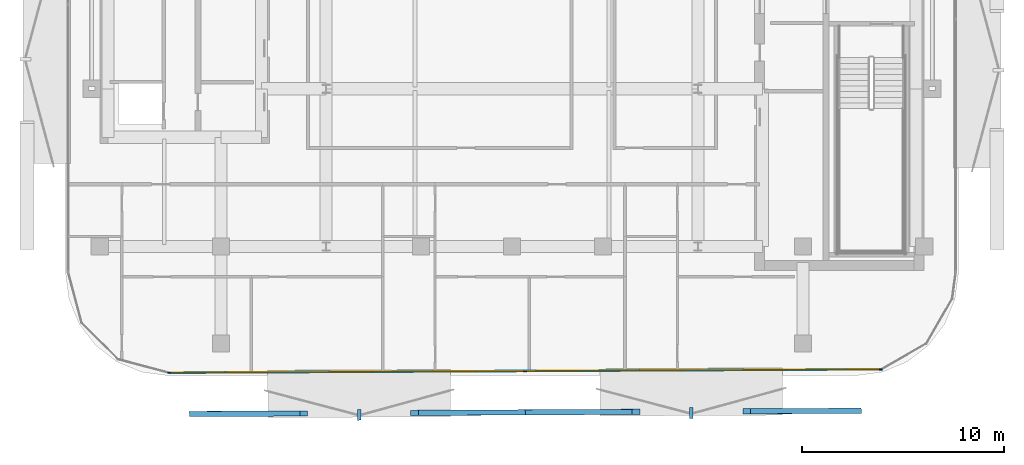
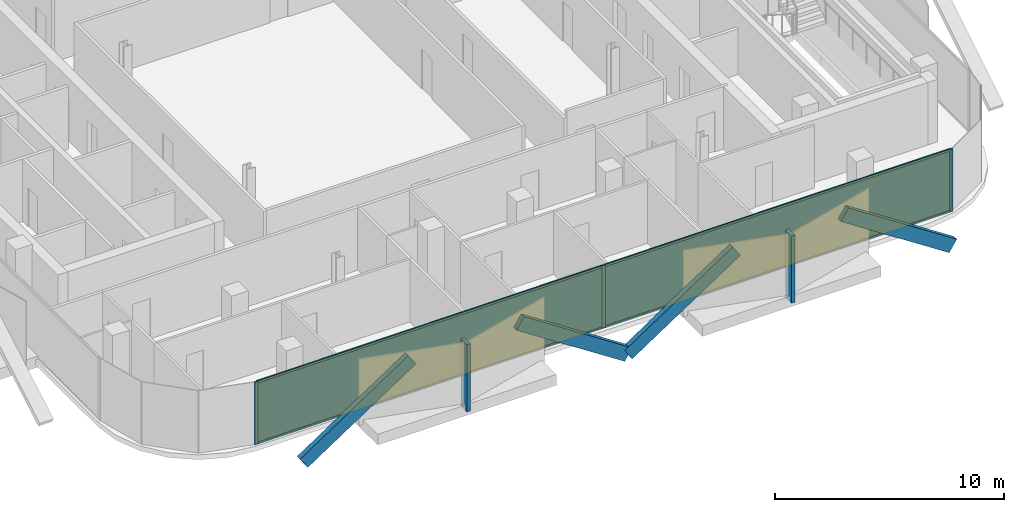
# One storey, part 8 of 15: 13 members, 2 plates, 1 curtain wall.
"""IFC4 building model written with IfcOpenShell, lengths in metres."""

from ifc_helpers import new_model, si_unit, direction, frame, frame_2d, origin, origin_2d, place, context, subcontext, project, spatial, rectangle, extrude, material, layer, layer_set, material_profile, profile_set, type_object, element, aggregate, save


model = new_model("IFC4")

# Units and contexts
model_context = context("Model", 3, precision=1e-05, world=origin(), true_north=direction((0.0, 1.0)))
body_context = subcontext(model_context, "Body", "Model", "MODEL_VIEW")
ifc_project = project(units=[si_unit("LENGTHUNIT", "METRE"), si_unit("AREAUNIT", "SQUARE_METRE"), si_unit("VOLUMEUNIT", "CUBIC_METRE"), si_unit("PLANEANGLEUNIT", "RADIAN"), si_unit("MASSUNIT", "GRAM", prefix="KILO")], contexts=[model_context])

# Member
ifc_material_1 = material(Name="Anodised Bronze Aluminium 6063-T6", Category="aluminium")
ifc_material_profile_1 = material_profile(ifc_material_1, rectangle(XDim=0.260009765625, YDim=0.699951171875, at=origin_2d()))
ifc_profile_set_1 = profile_set([ifc_material_profile_1], Name="Anodised Bronze Aluminium 6063-T6")
member_type_1 = type_object("IfcMemberType", Name="Bronze Diamond Solar-Screen Lattice Rib BDL-700", PredefinedType="MULLION", material=ifc_profile_set_1)
site_placement = place(None, origin())
building_placement = place(site_placement, origin())
storey_placement = place(building_placement, frame((0.0, 0.0, 254.800048828125)))
member_1_placement = place(storey_placement, frame((17.093505859375, -26.735595703125, -0.130126953125), z_axis=(-0.835737294876, -0.004021727391, 0.549114741801), x_axis=(-0.007495516814, 0.999963567548, -0.004084213926)))
member_1 = element("IfcMember", 1, at=member_1_placement, type_object=member_type_1, Name="L60 Bronze Diamond Solar Screen Lattice Rib 409A", PredefinedType="MULLION", context=body_context, shape_type="SweptSolid", body=[
    extrude(rectangle(XDim=0.260009765625, YDim=0.699951171875, at=origin_2d()), origin(), (0.0, 0.0, 1.0), 6.55615234375),
])

member_2_placement = place(storey_placement, frame((0.65625, -26.81494140625, -0.130126953125), z_axis=(0.835725939674, 0.004059091321, 0.549131748794), x_axis=(0.007540370975, -0.999963230548, -0.004084159318)))
member_2 = element("IfcMember", 2, at=member_2_placement, type_object=member_type_1, Name="L60 Bronze Diamond Solar Screen Lattice Rib 409B", PredefinedType="MULLION", context=body_context, shape_type="SweptSolid", body=[
    extrude(rectangle(XDim=0.260009765625, YDim=0.699951171875, at=origin_2d()), origin(), (0.0, 0.0, 1.0), 6.555908203125),
])

member_3_placement = place(storey_placement, frame((0.65625, -26.81494140625, -0.130126953125), z_axis=(-0.835737294876, -0.004021727391, 0.549114741801), x_axis=(-0.007495516814, 0.999963567548, -0.004084213926)))
member_3 = element("IfcMember", 3, at=member_3_placement, type_object=member_type_1, Name="L60 Bronze Diamond Solar Screen Lattice Rib 410A", PredefinedType="MULLION", context=body_context, shape_type="SweptSolid", body=[
    extrude(rectangle(XDim=0.260009765625, YDim=0.699951171875, at=origin_2d()), origin(), (0.0, 0.0, 1.0), 6.55615234375),
])

member_4_placement = place(storey_placement, frame((-15.781005859375, -26.894287109375, -0.130126953125), z_axis=(0.835725939674, 0.004059091321, 0.549131748794), x_axis=(0.007540370975, -0.999963230548, -0.004084159318)))
member_4 = element("IfcMember", 4, at=member_4_placement, type_object=member_type_1, Name="L60 Bronze Diamond Solar Screen Lattice Rib 410B", PredefinedType="MULLION", context=body_context, shape_type="SweptSolid", body=[
    extrude(rectangle(XDim=0.260009765625, YDim=0.699951171875, at=origin_2d()), origin(), (0.0, 0.0, 1.0), 6.555908203125),
])

ifc_material_2 = material(Name="Anodised Bronze Aluminium 6063-T6", Category="aluminium")
ifc_material_profile_2 = material_profile(ifc_material_2, rectangle(XDim=0.179931640625, YDim=0.5400390625, at=origin_2d()))
ifc_profile_set_2 = profile_set([ifc_material_profile_2], Name="Anodised Bronze Aluminium 6063-T6")
member_type_2 = type_object("IfcMemberType", Name="Bronze Solar-Screen Vertical Fold Fin BSF-540", PredefinedType="MULLION", material=ifc_profile_set_2)
member_5_placement = place(storey_placement, frame((8.875244140625, -26.855224609375, -0.130126953125), z_axis=(0.0, 0.0, 1.0), x_axis=(-0.999988059021, -0.004886902454, 0.0)))
member_5 = element("IfcMember", 5, at=member_5_placement, type_object=member_type_2, Name="L60 Bronze Solar Screen Vertical Fin 409", PredefinedType="MULLION", context=body_context, shape_type="SweptSolid", body=[
    extrude(rectangle(XDim=0.179931640625, YDim=0.5400390625, at=origin_2d()), origin(), (0.0, 0.0, 1.0), 3.60009765625),
])

member_6_placement = place(storey_placement, frame((-7.56201171875, -26.9345703125, -0.130126953125), z_axis=(0.0, 0.0, 1.0), x_axis=(-0.999988059021, -0.004886902454, 0.0)))
member_6 = element("IfcMember", 6, at=member_6_placement, type_object=member_type_2, Name="L60 Bronze Solar Screen Vertical Fin 410", PredefinedType="MULLION", context=body_context, shape_type="SweptSolid", body=[
    extrude(rectangle(XDim=0.179931640625, YDim=0.5400390625, at=origin_2d()), origin(), (0.0, 0.0, 1.0), 3.60009765625),
])

ifc_material_3 = material(Name="Anodised Bronze Aluminium 6063-T6", Category="aluminium")
ifc_material_profile_3 = material_profile(ifc_material_3, rectangle(XDim=0.06005859375, YDim=0.159912109375, at=origin_2d()))
ifc_profile_set_3 = profile_set([ifc_material_profile_3], Name="Anodised Bronze Aluminium 6063-T6")
member_type_3 = type_object("IfcMemberType", Name="CW-Z4 Mullion 60x160", PredefinedType="MULLION", material=ifc_profile_set_3)
member_7_placement = place(storey_placement, frame((18.25341796875, -24.68994140625, 0.0), z_axis=(0.0, 0.0, 1.0), x_axis=(0.004824986425, -0.999988359685, 0.0)))
member_7 = element("IfcMember", 7, at=member_7_placement, type_object=member_type_3, Name="CW-Z4 mullion 1", PredefinedType="MULLION", context=body_context, shape_type="SweptSolid", body=[
    extrude(rectangle(XDim=0.06005859375, YDim=0.159912109375, at=origin_2d()), origin(), (0.0, 0.0, 1.0), 3.33984375),
])

member_8_placement = place(storey_placement, frame((0.646240234375, -24.77490234375, 0.0), z_axis=(0.0, 0.0, 1.0), x_axis=(0.004824986425, -0.999988359685, 0.0)))
member_8 = element("IfcMember", 8, at=member_8_placement, type_object=member_type_3, Name="CW-Z4 mullion 2", PredefinedType="MULLION", context=body_context, shape_type="SweptSolid", body=[
    extrude(rectangle(XDim=0.06005859375, YDim=0.159912109375, at=origin_2d()), origin(), (0.0, 0.0, 1.0), 3.33984375),
])

member_9_placement = place(storey_placement, frame((-16.960693359375, -24.85986328125, 0.0), z_axis=(0.0, 0.0, 1.0), x_axis=(0.004824986425, -0.999988359685, 0.0)))
member_9 = element("IfcMember", 9, at=member_9_placement, type_object=member_type_3, Name="CW-Z4 mullion 3", PredefinedType="MULLION", context=body_context, shape_type="SweptSolid", body=[
    extrude(rectangle(XDim=0.06005859375, YDim=0.159912109375, at=origin_2d()), origin(), (0.0, 0.0, 1.0), 3.33984375),
])

ifc_material_4 = material(Name="Anodised Bronze Aluminium 6063-T6", Category="aluminium")
ifc_material_profile_4 = material_profile(ifc_material_4, rectangle(XDim=0.06005859375, YDim=0.125, at=origin_2d()))
ifc_profile_set_4 = profile_set([ifc_material_profile_4], Name="Anodised Bronze Aluminium 6063-T6")
member_type_4 = type_object("IfcMemberType", Name="CW-Z4 Transom 60x125", PredefinedType="USERDEFINED", material=ifc_profile_set_4)
member_10_placement = place(storey_placement, frame((18.223388671875, -24.690185546875, 0.030029296875), z_axis=(-0.999988412677, -0.004813991218, 0.0), x_axis=(0.004813991218, -0.999988412677, 0.0)))
member_10 = element("IfcMember", 10, at=member_10_placement, type_object=member_type_4, Name="CW-Z4 transom 1.1", ObjectType="TRANSOM", PredefinedType="USERDEFINED", context=body_context, shape_type="SweptSolid", body=[
    extrude(rectangle(XDim=0.06005859375, YDim=0.125, at=origin_2d()), origin(), (0.0, 0.0, 1.0), 17.54736328125),
])

member_11_placement = place(storey_placement, frame((18.223388671875, -24.690185546875, 3.31005859375), z_axis=(-0.999988412677, -0.004813991218, 0.0), x_axis=(0.004813991218, -0.999988412677, 0.0)))
member_11 = element("IfcMember", 11, at=member_11_placement, type_object=member_type_4, Name="CW-Z4 transom 1.2", ObjectType="TRANSOM", PredefinedType="USERDEFINED", context=body_context, shape_type="SweptSolid", body=[
    extrude(rectangle(XDim=0.06005859375, YDim=0.125, at=origin_2d()), origin(), (0.0, 0.0, 1.0), 17.54736328125),
])

member_12_placement = place(storey_placement, frame((0.616455078125, -24.775146484375, 0.030029296875), z_axis=(-0.999988413, -0.004813924241, 0.0), x_axis=(0.004813924241, -0.999988413, 0.0)))
member_12 = element("IfcMember", 12, at=member_12_placement, type_object=member_type_4, Name="CW-Z4 transom 2.1", ObjectType="TRANSOM", PredefinedType="USERDEFINED", context=body_context, shape_type="SweptSolid", body=[
    extrude(rectangle(XDim=0.06005859375, YDim=0.125, at=origin_2d()), origin(), (0.0, 0.0, 1.0), 17.547607421875),
])

member_13_placement = place(storey_placement, frame((0.616455078125, -24.775146484375, 3.31005859375), z_axis=(-0.999988413, -0.004813924241, 0.0), x_axis=(0.004813924241, -0.999988413, 0.0)))
member_13 = element("IfcMember", 13, at=member_13_placement, type_object=member_type_4, Name="CW-Z4 transom 2.2", ObjectType="TRANSOM", PredefinedType="USERDEFINED", context=body_context, shape_type="SweptSolid", body=[
    extrude(rectangle(XDim=0.06005859375, YDim=0.125, at=origin_2d()), origin(), (0.0, 0.0, 1.0), 17.547607421875),
])

# Plate
ifc_material_5 = material(Name="Low-E Solar Control Laminated Glass", Category="glass")
ifc_layer_1 = layer(ifc_material_5, 0.030029296875, Name="Low-E Solar Control Laminated Glass")
ifc_layer_set_1 = layer_set([ifc_layer_1], Name="Low-E Solar Control Laminated Glass")
plate_type = type_object("IfcPlateType", Name="CW-Z4 Low-E Double Glazed Panel 30mm", PredefinedType="CURTAIN_PANEL", material=ifc_layer_set_1)
plate_1_placement = place(storey_placement, frame((9.449951171875, -24.732421875, 0.06005859375), z_axis=(0.0, 0.0, 1.0), x_axis=(-0.999988359685, -0.004824986425, 0.0)))
plate_1 = element("IfcPlate", 14, at=plate_1_placement, type_object=plate_type, Name="CW-Z4 panel 1.1", PredefinedType="CURTAIN_PANEL", context=body_context, shape_type="SweptSolid", body=[
    extrude(rectangle(XDim=17.54736328125, YDim=0.030029296875, at=origin_2d()), origin(), (0.0, 0.0, 1.0), 3.219970703125),
])

plate_2_placement = place(storey_placement, frame((-8.1572265625, -24.8173828125, 0.06005859375), z_axis=(0.0, 0.0, 1.0), x_axis=(-0.999988359685, -0.004824986425, 0.0)))
plate_2 = element("IfcPlate", 15, at=plate_2_placement, type_object=plate_type, Name="CW-Z4 panel 2.1", PredefinedType="CURTAIN_PANEL", context=body_context, shape_type="SweptSolid", body=[
    extrude(rectangle(XDim=17.54736328125, YDim=0.030029296875, at=origin_2d()), origin(), (0.0, 0.0, 1.0), 3.219970703125),
])

# Site, building, storey
site = spatial("IfcSite", under=ifc_project, at=site_placement, CompositionType="ELEMENT")
building = spatial("IfcBuilding", under=site, at=building_placement, Name="Khairoan Windgate Tower", CompositionType="ELEMENT")
storey = spatial("IfcBuildingStorey", under=building, at=storey_placement, Name="L60", CompositionType="ELEMENT", Elevation=254.800048828125)

# Curtain wall
ifc_material_6 = material(Name="Anodised Bronze Aluminium 6063-T6", Category="aluminium")
ifc_layer_2 = layer(ifc_material_6, 0.159912109375, Name="Anodised Bronze Aluminium 6063-T6")
ifc_layer_set_2 = layer_set([ifc_layer_2], Name="Anodised Bronze Aluminium 6063-T6")
curtain_wall_type = type_object("IfcCurtainWallType", Name="Sky Residence Unitised Curtain Wall CW-Z4", PredefinedType="NOTDEFINED", material=ifc_layer_set_2)
curtain_wall_placement = place(storey_placement, frame((18.283447265625, -24.689697265625, 0.0), z_axis=(0.0, 0.0, 1.0), x_axis=(-0.999988330836, -0.004830961808, 0.0)))
curtain_wall = element("IfcCurtainWall", 16, at=curtain_wall_placement, inside=storey, type_object=curtain_wall_type, Name="L60 Unitised Curtain Wall 1", PredefinedType="NOTDEFINED", context=body_context, shape_type="SweptSolid", body=[
    extrude(rectangle(XDim=35.274658203125, YDim=0.010009765625, at=frame_2d((17.63720703125, 0.0))), origin(), (0.0, 0.0, 1.0), 3.33984375),
])

aggregate(curtain_wall, [member_7, member_8, member_9, member_10, member_11, plate_1, member_12, member_13, plate_2, member_1, member_2, member_5, member_3, member_4, member_6])

save(model, "model.ifc")
